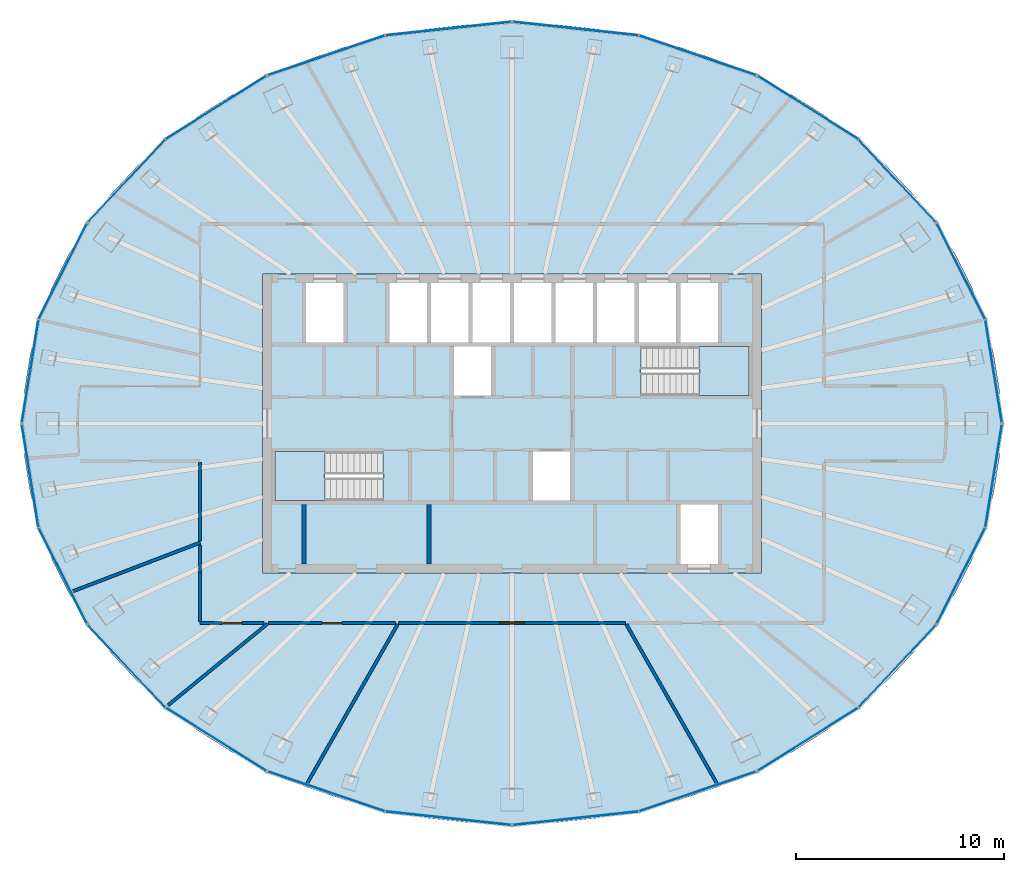
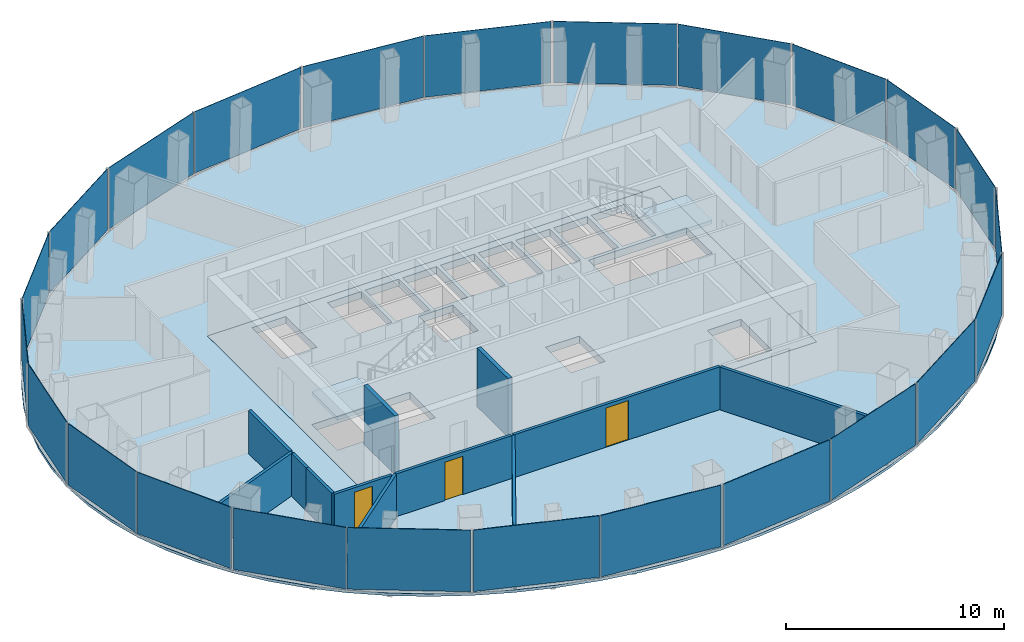
# One storey, part 8 of 13: 24 plates, 12 walls, 4 slabs, 3 doors, 3 openings, 14 elements without a shape of their own.
"""IFC4 building model written with IfcOpenShell, lengths in metres."""

from ifc_helpers import new_model, si_unit, direction, frame, frame_2d, origin, origin_2d, place, context, subcontext, project, spatial, polyline, rectangle, outline, extrude, material, layer, layer_set, type_object, element, fill, aggregate, save


model = new_model("IFC4")

# Units and contexts
model_context = context("Model", 3, precision=1e-05, world=origin(), true_north=direction((0.0, 1.0)))
body_context = subcontext(model_context, "Body", "Model", "MODEL_VIEW")
ifc_project = project(units=[si_unit("LENGTHUNIT", "METRE"), si_unit("AREAUNIT", "SQUARE_METRE"), si_unit("VOLUMEUNIT", "CUBIC_METRE"), si_unit("PLANEANGLEUNIT", "RADIAN"), si_unit("MASSUNIT", "GRAM", prefix="KILO")], contexts=[model_context])

# Site, building, storey
site_placement = place(None, origin())
site = spatial("IfcSite", under=ifc_project, at=site_placement, CompositionType="ELEMENT")
building_placement = place(site_placement, origin())
building = spatial("IfcBuilding", under=site, at=building_placement, Name="Siaravel Broadcast Tower", CompositionType="ELEMENT")
storey_placement = place(building_placement, frame((0.0, 0.0, 175.60009765625)))
storey = spatial("IfcBuildingStorey", under=building, at=storey_placement, Name="L42", CompositionType="ELEMENT", Elevation=175.60009765625)

# Curtain wall, plates
ifc_material_1 = material(Name="Aluminium 6063-T6", Category="aluminium")
ifc_layer_1 = layer(ifc_material_1, 0.179931640625)
ifc_layer_set_1 = layer_set([ifc_layer_1], Name="Aluminium 6063-T6")
curtain_wall_type = type_object("IfcCurtainWallType", Name="Unitised curtain wall, zone 3", PredefinedType="NOTDEFINED", material=ifc_layer_set_1)
curtain_wall_1_placement = place(storey_placement, origin())
curtain_wall_1 = element("IfcCurtainWall", 1, at=curtain_wall_1_placement, inside=storey, type_object=curtain_wall_type, Name="L42 Unitised curtain wall, zone 3 01", PredefinedType="NOTDEFINED")
ifc_material_2 = material(Name="Tinted insulated glass", Category="glass")
ifc_layer_2 = layer(ifc_material_2, 0.028076171875)
ifc_layer_set_2 = layer_set([ifc_layer_2], Name="Tinted insulated glass")
plate_type = type_object("IfcPlateType", Name="CW-Z3 glass panel", PredefinedType="CURTAIN_PANEL", material=ifc_layer_set_2)
plate_1_placement = place(storey_placement, frame((23.17431640625, 2.5166015625, 0.10009765625), z_axis=(0.0, 0.0, 1.0), x_axis=(-0.15868563, 0.98732916, 0.0)))
plate_1 = element("IfcPlate", 2, at=plate_1_placement, type_object=plate_type, Name="CW-Z3 glass panel", PredefinedType="CURTAIN_PANEL", context=body_context, shape_type="SweptSolid", body=[
    extrude(rectangle(XDim=4.977783203125, YDim=0.028076171875, at=origin_2d()), origin(), (0.0, 0.0, 1.0), 3.449951171875),
])
plate_2_placement = place(storey_placement, frame((21.602783203125, 7.321044921875, 0.10009765625), z_axis=(0.0, 0.0, 1.0), x_axis=(-0.4512612, 0.892391915, 0.0)))
plate_2 = element("IfcPlate", 3, at=plate_2_placement, type_object=plate_type, Name="CW-Z3 glass panel", PredefinedType="CURTAIN_PANEL", context=body_context, shape_type="SweptSolid", body=[
    extrude(rectangle(XDim=5.133544921875, YDim=0.028076171875, at=origin_2d()), origin(), (0.0, 0.0, 1.0), 3.449951171875),
])
aggregate(curtain_wall_1, [plate_1, plate_2])

curtain_wall_2_placement = place(storey_placement, origin())
curtain_wall_2 = element("IfcCurtainWall", 4, at=curtain_wall_2_placement, inside=storey, type_object=curtain_wall_type, Name="L42 Unitised curtain wall, zone 3 02", PredefinedType="NOTDEFINED")
plate_3_placement = place(storey_placement, frame((18.532958984375, 11.6767578125, 0.10009765625), z_axis=(0.0, 0.0, 1.0), x_axis=(-0.683655498, 0.729804878, 0.0)))
plate_3 = element("IfcPlate", 5, at=plate_3_placement, type_object=plate_type, Name="CW-Z3 glass panel", PredefinedType="CURTAIN_PANEL", context=body_context, shape_type="SweptSolid", body=[
    extrude(rectangle(XDim=5.392822265625, YDim=0.028076171875, at=origin_2d()), origin(), (0.0, 0.0, 1.0), 3.449951171875),
])
plate_4_placement = place(storey_placement, frame((14.239990234375, 15.193115234375, 0.10009765625), z_axis=(0.0, 0.0, 1.0), x_axis=(-0.846650852, 0.532148789, 0.0)))
plate_4 = element("IfcPlate", 6, at=plate_4_placement, type_object=plate_type, Name="CW-Z3 glass panel", PredefinedType="CURTAIN_PANEL", context=body_context, shape_type="SweptSolid", body=[
    extrude(rectangle(XDim=5.677734375, YDim=0.028076171875, at=origin_2d()), origin(), (0.0, 0.0, 1.0), 3.449951171875),
])
aggregate(curtain_wall_2, [plate_3, plate_4])

curtain_wall_3_placement = place(storey_placement, origin())
curtain_wall_3 = element("IfcCurtainWall", 7, at=curtain_wall_3_placement, inside=storey, type_object=curtain_wall_type, Name="L42 Unitised curtain wall, zone 3 03", PredefinedType="NOTDEFINED")
plate_5_placement = place(storey_placement, frame((8.928955078125, 17.705078125, 0.10009765625), z_axis=(0.0, 0.0, 1.0), x_axis=(-0.946977364, 0.321300283, 0.0)))
plate_5 = element("IfcPlate", 8, at=plate_5_placement, type_object=plate_type, Name="CW-Z3 glass panel", PredefinedType="CURTAIN_PANEL", context=body_context, shape_type="SweptSolid", body=[
    extrude(rectangle(XDim=5.913818359375, YDim=0.028076171875, at=origin_2d()), origin(), (0.0, 0.0, 1.0), 3.449951171875),
])
plate_6_placement = place(storey_placement, frame((3.065185546875, 18.9921875, 0.10009765625), z_axis=(0.0, 0.0, 1.0), x_axis=(-0.994235605, 0.107217362, 0.0)))
plate_6 = element("IfcPlate", 9, at=plate_6_placement, type_object=plate_type, Name="CW-Z3 glass panel", PredefinedType="CURTAIN_PANEL", context=body_context, shape_type="SweptSolid", body=[
    extrude(rectangle(XDim=6.0458984375, YDim=0.028076171875, at=origin_2d()), origin(), (0.0, 0.0, 1.0), 3.449951171875),
])
aggregate(curtain_wall_3, [plate_5, plate_6])

curtain_wall_4_placement = place(storey_placement, origin())
curtain_wall_4 = element("IfcCurtainWall", 10, at=curtain_wall_4_placement, inside=storey, type_object=curtain_wall_type, Name="L42 Unitised curtain wall, zone 3 04", PredefinedType="NOTDEFINED")
plate_7_placement = place(storey_placement, frame((-3.065185546875, 18.9921875, 0.10009765625), z_axis=(0.0, 0.0, 1.0), x_axis=(-0.994235605, -0.107217362, 0.0)))
plate_7 = element("IfcPlate", 11, at=plate_7_placement, type_object=plate_type, Name="CW-Z3 glass panel", PredefinedType="CURTAIN_PANEL", context=body_context, shape_type="SweptSolid", body=[
    extrude(rectangle(XDim=6.0458984375, YDim=0.028076171875, at=origin_2d()), origin(), (0.0, 0.0, 1.0), 3.449951171875),
])
plate_8_placement = place(storey_placement, frame((-8.928955078125, 17.705078125, 0.10009765625), z_axis=(0.0, 0.0, 1.0), x_axis=(-0.946977364, -0.321300283, 0.0)))
plate_8 = element("IfcPlate", 12, at=plate_8_placement, type_object=plate_type, Name="CW-Z3 glass panel", PredefinedType="CURTAIN_PANEL", context=body_context, shape_type="SweptSolid", body=[
    extrude(rectangle(XDim=5.913818359375, YDim=0.028076171875, at=origin_2d()), origin(), (0.0, 0.0, 1.0), 3.449951171875),
])
aggregate(curtain_wall_4, [plate_7, plate_8])

curtain_wall_5_placement = place(storey_placement, origin())
curtain_wall_5 = element("IfcCurtainWall", 13, at=curtain_wall_5_placement, inside=storey, type_object=curtain_wall_type, Name="L42 Unitised curtain wall, zone 3 05", PredefinedType="NOTDEFINED")
plate_9_placement = place(storey_placement, frame((-14.239990234375, 15.193115234375, 0.10009765625), z_axis=(0.0, 0.0, 1.0), x_axis=(-0.846650852, -0.532148789, 0.0)))
plate_9 = element("IfcPlate", 14, at=plate_9_placement, type_object=plate_type, Name="CW-Z3 glass panel", PredefinedType="CURTAIN_PANEL", context=body_context, shape_type="SweptSolid", body=[
    extrude(rectangle(XDim=5.677734375, YDim=0.028076171875, at=origin_2d()), origin(), (0.0, 0.0, 1.0), 3.449951171875),
])
plate_10_placement = place(storey_placement, frame((-18.532958984375, 11.6767578125, 0.10009765625), z_axis=(0.0, 0.0, 1.0), x_axis=(-0.683655498, -0.729804878, 0.0)))
plate_10 = element("IfcPlate", 15, at=plate_10_placement, type_object=plate_type, Name="CW-Z3 glass panel", PredefinedType="CURTAIN_PANEL", context=body_context, shape_type="SweptSolid", body=[
    extrude(rectangle(XDim=5.392822265625, YDim=0.028076171875, at=origin_2d()), origin(), (0.0, 0.0, 1.0), 3.449951171875),
])
aggregate(curtain_wall_5, [plate_9, plate_10])

curtain_wall_6_placement = place(storey_placement, origin())
curtain_wall_6 = element("IfcCurtainWall", 16, at=curtain_wall_6_placement, inside=storey, type_object=curtain_wall_type, Name="L42 Unitised curtain wall, zone 3 06", PredefinedType="NOTDEFINED")
plate_11_placement = place(storey_placement, frame((-21.602783203125, 7.321044921875, 0.10009765625), z_axis=(0.0, 0.0, 1.0), x_axis=(-0.4512612, -0.892391915, 0.0)))
plate_11 = element("IfcPlate", 17, at=plate_11_placement, type_object=plate_type, Name="CW-Z3 glass panel", PredefinedType="CURTAIN_PANEL", context=body_context, shape_type="SweptSolid", body=[
    extrude(rectangle(XDim=5.133544921875, YDim=0.028076171875, at=origin_2d()), origin(), (0.0, 0.0, 1.0), 3.449951171875),
])
plate_12_placement = place(storey_placement, frame((-23.17431640625, 2.5166015625, 0.10009765625), z_axis=(0.0, 0.0, 1.0), x_axis=(-0.15868563, -0.98732916, 0.0)))
plate_12 = element("IfcPlate", 18, at=plate_12_placement, type_object=plate_type, Name="CW-Z3 glass panel", PredefinedType="CURTAIN_PANEL", context=body_context, shape_type="SweptSolid", body=[
    extrude(rectangle(XDim=4.977783203125, YDim=0.028076171875, at=origin_2d()), origin(), (0.0, 0.0, 1.0), 3.449951171875),
])
aggregate(curtain_wall_6, [plate_11, plate_12])

curtain_wall_7_placement = place(storey_placement, origin())
curtain_wall_7 = element("IfcCurtainWall", 19, at=curtain_wall_7_placement, inside=storey, type_object=curtain_wall_type, Name="L42 Unitised curtain wall, zone 3 07", PredefinedType="NOTDEFINED")
plate_13_placement = place(storey_placement, frame((-23.17431640625, -2.5166015625, 0.10009765625), z_axis=(0.0, 0.0, 1.0), x_axis=(0.15868563, -0.98732916, 0.0)))
plate_13 = element("IfcPlate", 20, at=plate_13_placement, type_object=plate_type, Name="CW-Z3 glass panel", PredefinedType="CURTAIN_PANEL", context=body_context, shape_type="SweptSolid", body=[
    extrude(rectangle(XDim=4.977783203125, YDim=0.028076171875, at=origin_2d()), origin(), (0.0, 0.0, 1.0), 3.449951171875),
])
plate_14_placement = place(storey_placement, frame((-21.602783203125, -7.321044921875, 0.10009765625), z_axis=(0.0, 0.0, 1.0), x_axis=(0.4512612, -0.892391915, 0.0)))
plate_14 = element("IfcPlate", 21, at=plate_14_placement, type_object=plate_type, Name="CW-Z3 glass panel", PredefinedType="CURTAIN_PANEL", context=body_context, shape_type="SweptSolid", body=[
    extrude(rectangle(XDim=5.133544921875, YDim=0.028076171875, at=origin_2d()), origin(), (0.0, 0.0, 1.0), 3.449951171875),
])
aggregate(curtain_wall_7, [plate_13, plate_14])

curtain_wall_8_placement = place(storey_placement, origin())
curtain_wall_8 = element("IfcCurtainWall", 22, at=curtain_wall_8_placement, inside=storey, type_object=curtain_wall_type, Name="L42 Unitised curtain wall, zone 3 08", PredefinedType="NOTDEFINED")
plate_15_placement = place(storey_placement, frame((-18.532958984375, -11.6767578125, 0.10009765625), z_axis=(0.0, 0.0, 1.0), x_axis=(0.683655498, -0.729804878, 0.0)))
plate_15 = element("IfcPlate", 23, at=plate_15_placement, type_object=plate_type, Name="CW-Z3 glass panel", PredefinedType="CURTAIN_PANEL", context=body_context, shape_type="SweptSolid", body=[
    extrude(rectangle(XDim=5.392822265625, YDim=0.028076171875, at=origin_2d()), origin(), (0.0, 0.0, 1.0), 3.449951171875),
])
plate_16_placement = place(storey_placement, frame((-14.239990234375, -15.193115234375, 0.10009765625), z_axis=(0.0, 0.0, 1.0), x_axis=(0.846650852, -0.532148789, 0.0)))
plate_16 = element("IfcPlate", 24, at=plate_16_placement, type_object=plate_type, Name="CW-Z3 glass panel", PredefinedType="CURTAIN_PANEL", context=body_context, shape_type="SweptSolid", body=[
    extrude(rectangle(XDim=5.677734375, YDim=0.028076171875, at=origin_2d()), origin(), (0.0, 0.0, 1.0), 3.449951171875),
])
aggregate(curtain_wall_8, [plate_15, plate_16])

curtain_wall_9_placement = place(storey_placement, origin())
curtain_wall_9 = element("IfcCurtainWall", 25, at=curtain_wall_9_placement, inside=storey, type_object=curtain_wall_type, Name="L42 Unitised curtain wall, zone 3 09", PredefinedType="NOTDEFINED")
plate_17_placement = place(storey_placement, frame((-8.928955078125, -17.705078125, 0.10009765625), z_axis=(0.0, 0.0, 1.0), x_axis=(0.946977364, -0.321300283, 0.0)))
plate_17 = element("IfcPlate", 26, at=plate_17_placement, type_object=plate_type, Name="CW-Z3 glass panel", PredefinedType="CURTAIN_PANEL", context=body_context, shape_type="SweptSolid", body=[
    extrude(rectangle(XDim=5.913818359375, YDim=0.028076171875, at=origin_2d()), origin(), (0.0, 0.0, 1.0), 3.449951171875),
])
plate_18_placement = place(storey_placement, frame((-3.065185546875, -18.9921875, 0.10009765625), z_axis=(0.0, 0.0, 1.0), x_axis=(0.994235605, -0.107217362, 0.0)))
plate_18 = element("IfcPlate", 27, at=plate_18_placement, type_object=plate_type, Name="CW-Z3 glass panel", PredefinedType="CURTAIN_PANEL", context=body_context, shape_type="SweptSolid", body=[
    extrude(rectangle(XDim=6.0458984375, YDim=0.028076171875, at=origin_2d()), origin(), (0.0, 0.0, 1.0), 3.449951171875),
])
aggregate(curtain_wall_9, [plate_17, plate_18])

curtain_wall_10_placement = place(storey_placement, origin())
curtain_wall_10 = element("IfcCurtainWall", 28, at=curtain_wall_10_placement, inside=storey, type_object=curtain_wall_type, Name="L42 Unitised curtain wall, zone 3 10", PredefinedType="NOTDEFINED")
plate_19_placement = place(storey_placement, frame((3.065185546875, -18.9921875, 0.10009765625), z_axis=(0.0, 0.0, 1.0), x_axis=(0.994235605, 0.107217362, 0.0)))
plate_19 = element("IfcPlate", 29, at=plate_19_placement, type_object=plate_type, Name="CW-Z3 glass panel", PredefinedType="CURTAIN_PANEL", context=body_context, shape_type="SweptSolid", body=[
    extrude(rectangle(XDim=6.0458984375, YDim=0.028076171875, at=origin_2d()), origin(), (0.0, 0.0, 1.0), 3.449951171875),
])
plate_20_placement = place(storey_placement, frame((8.928955078125, -17.705078125, 0.10009765625), z_axis=(0.0, 0.0, 1.0), x_axis=(0.946977364, 0.321300283, 0.0)))
plate_20 = element("IfcPlate", 30, at=plate_20_placement, type_object=plate_type, Name="CW-Z3 glass panel", PredefinedType="CURTAIN_PANEL", context=body_context, shape_type="SweptSolid", body=[
    extrude(rectangle(XDim=5.913818359375, YDim=0.028076171875, at=origin_2d()), origin(), (0.0, 0.0, 1.0), 3.449951171875),
])
aggregate(curtain_wall_10, [plate_19, plate_20])

curtain_wall_11_placement = place(storey_placement, origin())
curtain_wall_11 = element("IfcCurtainWall", 31, at=curtain_wall_11_placement, inside=storey, type_object=curtain_wall_type, Name="L42 Unitised curtain wall, zone 3 11", PredefinedType="NOTDEFINED")
plate_21_placement = place(storey_placement, frame((14.239990234375, -15.193115234375, 0.10009765625), z_axis=(0.0, 0.0, 1.0), x_axis=(0.846650852, 0.532148789, 0.0)))
plate_21 = element("IfcPlate", 32, at=plate_21_placement, type_object=plate_type, Name="CW-Z3 glass panel", PredefinedType="CURTAIN_PANEL", context=body_context, shape_type="SweptSolid", body=[
    extrude(rectangle(XDim=5.677734375, YDim=0.028076171875, at=origin_2d()), origin(), (0.0, 0.0, 1.0), 3.449951171875),
])
plate_22_placement = place(storey_placement, frame((18.532958984375, -11.6767578125, 0.10009765625), z_axis=(0.0, 0.0, 1.0), x_axis=(0.683655498, 0.729804878, 0.0)))
plate_22 = element("IfcPlate", 33, at=plate_22_placement, type_object=plate_type, Name="CW-Z3 glass panel", PredefinedType="CURTAIN_PANEL", context=body_context, shape_type="SweptSolid", body=[
    extrude(rectangle(XDim=5.392822265625, YDim=0.028076171875, at=origin_2d()), origin(), (0.0, 0.0, 1.0), 3.449951171875),
])
aggregate(curtain_wall_11, [plate_21, plate_22])

curtain_wall_12_placement = place(storey_placement, origin())
curtain_wall_12 = element("IfcCurtainWall", 34, at=curtain_wall_12_placement, inside=storey, type_object=curtain_wall_type, Name="L42 Unitised curtain wall, zone 3 12", PredefinedType="NOTDEFINED")
plate_23_placement = place(storey_placement, frame((21.602783203125, -7.321044921875, 0.10009765625), z_axis=(0.0, 0.0, 1.0), x_axis=(0.4512612, 0.892391915, 0.0)))
plate_23 = element("IfcPlate", 35, at=plate_23_placement, type_object=plate_type, Name="CW-Z3 glass panel", PredefinedType="CURTAIN_PANEL", context=body_context, shape_type="SweptSolid", body=[
    extrude(rectangle(XDim=5.133544921875, YDim=0.028076171875, at=origin_2d()), origin(), (0.0, 0.0, 1.0), 3.449951171875),
])
plate_24_placement = place(storey_placement, frame((23.17431640625, -2.5166015625, 0.10009765625), z_axis=(0.0, 0.0, 1.0), x_axis=(0.15868563, 0.98732916, 0.0)))
plate_24 = element("IfcPlate", 36, at=plate_24_placement, type_object=plate_type, Name="CW-Z3 glass panel", PredefinedType="CURTAIN_PANEL", context=body_context, shape_type="SweptSolid", body=[
    extrude(rectangle(XDim=4.977783203125, YDim=0.028076171875, at=origin_2d()), origin(), (0.0, 0.0, 1.0), 3.449951171875),
])
aggregate(curtain_wall_12, [plate_23, plate_24])

# Slabs
ifc_material_3 = material(Name="Concrete C40/50", Category="concrete")
ifc_layer_3 = layer(ifc_material_3, 0.39990234375)
ifc_layer_set_3 = layer_set([ifc_layer_3], Name="Concrete C40/50")
slab_type_1 = type_object("IfcSlabType", Name="Core floor slab 400", PredefinedType="FLOOR", material=ifc_layer_set_3)
slab_1_placement = place(storey_placement, frame((0.0, 0.0, -0.400146484375)))
element("IfcSlab", 37, at=slab_1_placement, inside=storey, type_object=slab_type_1, Name="L42 core floor", PredefinedType="FLOOR", context=body_context, shape_type="SweptSolid", body=[
    extrude(outline(polyline([(-12.0, -7.199951171875), (-12.0, 7.199951171875), (12.0, 7.199951171875), (12.0, -7.199951171875), (-12.0, -7.199951171875)]), holes=[polyline([(11.3994140625, 1.3505859375), (11.3994140625, 3.699462890625), (6.200439453125, 3.699462890625), (6.200439453125, 1.3505859375), (11.3994140625, 1.3505859375)]), polyline([(8.10009765625, -3.89990234375), (8.10009765625, -6.75), (9.89990234375, -6.75), (9.89990234375, -3.89990234375), (8.10009765625, -3.89990234375)]), polyline([(9.89990234375, 6.75), (8.10009765625, 6.75), (8.10009765625, 3.89990234375), (9.89990234375, 3.89990234375), (9.89990234375, 6.75)]), polyline([(7.89990234375, 6.75), (6.10009765625, 6.75), (6.10009765625, 3.89990234375), (7.89990234375, 3.89990234375), (7.89990234375, 6.75)]), polyline([(5.89990234375, 6.75), (4.10009765625, 6.75), (4.10009765625, 3.89990234375), (5.89990234375, 3.89990234375), (5.89990234375, 6.75)]), polyline([(3.89990234375, 6.75), (2.10009765625, 6.75), (2.10009765625, 3.89990234375), (3.89990234375, 3.89990234375), (3.89990234375, 6.75)]), polyline([(2.800048828125, -1.35009765625), (1.0, -1.35009765625), (1.0, -3.699951171875), (2.800048828125, -3.699951171875), (2.800048828125, -1.35009765625)]), polyline([(1.89990234375, 6.75), (0.10009765625, 6.75), (0.10009765625, 3.89990234375), (1.89990234375, 3.89990234375), (1.89990234375, 6.75)]), polyline([(-0.10009765625, 6.75), (-1.89990234375, 6.75), (-1.89990234375, 3.89990234375), (-0.10009765625, 3.89990234375), (-0.10009765625, 6.75)]), polyline([(-1.0, 3.699951171875), (-2.800048828125, 3.699951171875), (-2.800048828125, 1.35009765625), (-1.0, 1.35009765625), (-1.0, 3.699951171875)]), polyline([(-2.10009765625, 6.75), (-3.89990234375, 6.75), (-3.89990234375, 3.89990234375), (-2.10009765625, 3.89990234375), (-2.10009765625, 6.75)]), polyline([(-4.10009765625, 6.75), (-5.89990234375, 6.75), (-5.89990234375, 3.89990234375), (-4.10009765625, 3.89990234375), (-4.10009765625, 6.75)]), polyline([(-11.3994140625, -3.699462890625), (-6.200439453125, -3.699462890625), (-6.200439453125, -1.3505859375), (-11.3994140625, -1.3505859375), (-11.3994140625, -3.699462890625)]), polyline([(-8.10009765625, 6.75), (-9.89990234375, 6.75), (-9.89990234375, 3.89990234375), (-8.10009765625, 3.89990234375), (-8.10009765625, 6.75)])]), origin(), (0.0, 0.0, 1.0), 0.400146484375),
])
ifc_layer_4 = layer(ifc_material_3, 0.14990234375)
ifc_layer_set_4 = layer_set([ifc_layer_4], Name="Concrete C40/50")
slab_type_2 = type_object("IfcSlabType", Name="SLB-FLOOR-150", PredefinedType="FLOOR", material=ifc_layer_set_4)
slab_2_placement = place(storey_placement, frame((0.0, 0.0, -0.150146484375)))
element("IfcSlab", 38, at=slab_2_placement, inside=storey, type_object=slab_type_2, Name="Floor slab", PredefinedType="FLOOR", context=body_context, shape_type="SweptSolid", body=[
    extrude(outline(polyline([(23.52880859375, 0.0), (23.439208984375, 1.6796875), (23.171142578125, 3.3466796875), (22.72705078125, 4.988037109375), (22.109619140625, 6.591552734375), (21.32421875, 8.14501953125), (20.37646484375, 9.63623046875), (19.273681640625, 11.05419921875), (18.02392578125, 12.38818359375), (16.63720703125, 13.627685546875), (15.1240234375, 14.763671875), (13.49560546875, 15.787109375), (11.764404296875, 16.690673828125), (9.943603515625, 17.466796875), (8.04736328125, 18.1103515625), (6.089599609375, 18.615966796875), (4.085693359375, 18.979736328125), (2.05078125, 19.19921875), (0.0, 19.272705078125), (-2.05078125, 19.19921875), (-4.085693359375, 18.979736328125), (-6.089599609375, 18.615966796875), (-8.04736328125, 18.1103515625), (-9.943603515625, 17.466796875), (-11.764404296875, 16.690673828125), (-13.49560546875, 15.787109375), (-15.1240234375, 14.763671875), (-16.63720703125, 13.627685546875), (-18.02392578125, 12.38818359375), (-19.273681640625, 11.05419921875), (-20.37646484375, 9.63623046875), (-21.32421875, 8.14501953125), (-22.109619140625, 6.591552734375), (-22.72705078125, 4.988037109375), (-23.171142578125, 3.3466796875), (-23.439208984375, 1.6796875), (-23.52880859375, 0.0), (-23.439208984375, -1.6796875), (-23.171142578125, -3.3466796875), (-22.72705078125, -4.988037109375), (-22.109619140625, -6.591552734375), (-21.32421875, -8.14501953125), (-20.37646484375, -9.63623046875), (-19.273681640625, -11.05419921875), (-18.02392578125, -12.38818359375), (-16.63720703125, -13.627685546875), (-15.1240234375, -14.763671875), (-13.49560546875, -15.787109375), (-11.764404296875, -16.690673828125), (-9.943603515625, -17.466796875), (-8.04736328125, -18.1103515625), (-6.089599609375, -18.615966796875), (-4.085693359375, -18.979736328125), (-2.05078125, -19.19921875), (0.0, -19.272705078125), (2.05078125, -19.19921875), (4.085693359375, -18.979736328125), (6.089599609375, -18.615966796875), (8.04736328125, -18.1103515625), (9.943603515625, -17.466796875), (11.764404296875, -16.690673828125), (13.49560546875, -15.787109375), (15.1240234375, -14.763671875), (16.63720703125, -13.627685546875), (18.02392578125, -12.38818359375), (19.273681640625, -11.05419921875), (20.37646484375, -9.63623046875), (21.32421875, -8.14501953125), (22.109619140625, -6.591552734375), (22.72705078125, -4.988037109375), (23.171142578125, -3.3466796875), (23.439208984375, -1.6796875), (23.52880859375, 0.0)]), holes=[polyline([(-12.0, 7.199951171875), (12.0, 7.199951171875), (12.0, -7.199951171875), (-12.0, -7.199951171875), (-12.0, 7.199951171875)])]), origin(), (0.0, 0.0, 1.0), 0.150146484375),
])

# Stair, slab
stair_type = type_object("IfcStairType", Name="Core exit stair", PredefinedType="HALF_TURN_STAIR", material=ifc_material_3)
stair_1_placement = place(storey_placement, origin())
stair_1 = element("IfcStair", 39, at=stair_1_placement, inside=storey, type_object=stair_type, Name="L42 Exit stair ST-1", PredefinedType="HALF_TURN_STAIR")
ifc_layer_5 = layer(ifc_material_3, 0.199951171875)
ifc_layer_set_5 = layer_set([ifc_layer_5], Name="Concrete C40/50")
slab_type_3 = type_object("IfcSlabType", Name="Stair landing", PredefinedType="LANDING", material=ifc_layer_set_5)
slab_3_placement = place(storey_placement, frame((0.0, 0.0, 1.64990234375)))
slab_3 = element("IfcSlab", 40, at=slab_3_placement, type_object=slab_type_3, Name="ST-1 landing 1", PredefinedType="LANDING", context=body_context, shape_type="SweptSolid", body=[
    extrude(outline(polyline([(-9.0, -1.35009765625), (-11.39990234375, -1.35009765625), (-11.39990234375, -3.699951171875), (-9.0, -3.699951171875), (-9.0, -1.35009765625)])), origin(), (0.0, 0.0, 1.0), 0.199951171875),
])
aggregate(stair_1, [slab_3])

stair_2_placement = place(storey_placement, origin())
stair_2 = element("IfcStair", 41, at=stair_2_placement, inside=storey, type_object=stair_type, Name="L42 Exit stair ST-2", PredefinedType="HALF_TURN_STAIR")
slab_4_placement = place(storey_placement, frame((0.0, 0.0, 1.64990234375)))
slab_4 = element("IfcSlab", 42, at=slab_4_placement, type_object=slab_type_3, Name="ST-2 landing 1", PredefinedType="LANDING", context=body_context, shape_type="SweptSolid", body=[
    extrude(outline(polyline([(9.0, 1.35009765625), (11.39990234375, 1.35009765625), (11.39990234375, 3.699951171875), (9.0, 3.699951171875), (9.0, 1.35009765625)])), origin(), (0.0, 0.0, 1.0), 0.199951171875),
])
aggregate(stair_2, [slab_4])

# Wall
ifc_material_4 = material(Name="Concrete blockwork", Category="masonry")
ifc_layer_6 = layer(ifc_material_4, 0.199951171875)
ifc_layer_set_6 = layer_set([ifc_layer_6], Name="Concrete blockwork")
wall_type_1 = type_object("IfcWallType", Name="Core partition 200", PredefinedType="PARTITIONING", material=ifc_layer_set_6)
wall_1_placement = place(storey_placement, frame((-4.0, -6.75, 0.0), z_axis=(0.0, 0.0, 1.0), x_axis=(0.0, 1.0, 0.0)))
element("IfcWall", 43, at=wall_1_placement, inside=storey, type_object=wall_type_1, Name="L42 core partition PFS0", PredefinedType="PARTITIONING", context=body_context, shape_type="SweptSolid", body=[
    extrude(rectangle(XDim=2.85009765625, YDim=0.199951171875, at=frame_2d((1.425048828125, 0.0))), origin(), (0.0, 0.0, 1.0), 3.2998046875),
])

# Wall, opening, door
ifc_material_5 = material(Name="Gypsum board partition", Category="gypsum")
ifc_layer_7 = layer(ifc_material_5, 0.14990234375)
ifc_layer_set_7 = layer_set([ifc_layer_7], Name="Gypsum board partition")
wall_type_2 = type_object("IfcWallType", Name="Corridor wall 150", PredefinedType="PARTITIONING", material=ifc_layer_set_7)
wall_2_placement = place(storey_placement, frame((-5.465087890625, -9.60009765625, 0.0), z_axis=(0.0, 0.0, 1.0), x_axis=(1.0, 0.0, 0.0)))
wall_2 = element("IfcWall", 44, at=wall_2_placement, inside=storey, type_object=wall_type_2, Name="L42 partition 2", PredefinedType="PARTITIONING", context=body_context, shape_type="SweptSolid", body=[
    extrude(rectangle(XDim=10.93017578125, YDim=0.14990234375, at=frame_2d((5.465087890625, 0.0))), origin(), (0.0, 0.0, 1.0), 2.39990234375),
])
opening_1_placement = place(wall_2_placement, frame((4.865234375, 0.0, 0.0)))
opening_1 = element("IfcOpeningElement", 45, at=opening_1_placement, cuts=wall_2, Name="Opening L42-002", PredefinedType="OPENING", context=body_context, shape_type="SweptSolid", body=[
    extrude(rectangle(XDim=1.199951171875, YDim=2.199951171875, at=frame_2d((0.60009765625, 1.10009765625))), frame((0.0, 0.0849609375, 0.0), z_axis=(0.0, -1.0, 0.0), x_axis=(1.0, 0.0, 0.0)), (0.0, 0.0, 1.0), 0.169921875),
])
ifc_material_6 = material(Name="Timber veneer", Category="wood")
door_type_1 = type_object("IfcDoorType", Name="Office double door 1200", OperationType="DOUBLE_DOOR_SINGLE_SWING", PredefinedType="DOOR", material=ifc_material_6)
door_1_placement = place(opening_1_placement, origin())
door_1 = element("IfcDoor", 46, at=door_1_placement, inside=storey, type_object=door_type_1, Name="L42 door to Open plan office", OperationType="DOUBLE_DOOR_SINGLE_SWING", OverallHeight=2.199951171875, OverallWidth=1.199951171875, PredefinedType="DOOR", context=body_context, shape_type="SweptSolid", body=[
    extrude(rectangle(XDim=1.199951171875, YDim=2.199951171875, at=frame_2d((0.60009765625, 1.10009765625))), frame((0.0, 0.02490234375, 0.0), z_axis=(0.0, -1.0, 0.0), x_axis=(1.0, 0.0, 0.0)), (0.0, 0.0, 1.0), 0.050048828125),
])
fill(opening_1, door_1)

wall_3_placement = place(storey_placement, frame((-11.719970703125, -9.60009765625, 0.0), z_axis=(0.0, 0.0, 1.0), x_axis=(1.0, 0.0, 0.0)))
wall_3 = element("IfcWall", 47, at=wall_3_placement, inside=storey, type_object=wall_type_2, Name="L42 partition 11", PredefinedType="PARTITIONING", context=body_context, shape_type="SweptSolid", body=[
    extrude(rectangle(XDim=6.123779296875, YDim=0.14990234375, at=frame_2d((3.06201171875, 0.0))), origin(), (0.0, 0.0, 1.0), 2.39990234375),
])
opening_2_placement = place(wall_3_placement, frame((2.5869140625, 0.0, 0.0)))
opening_2 = element("IfcOpeningElement", 48, at=opening_2_placement, cuts=wall_3, Name="Opening L42-001", PredefinedType="OPENING", context=body_context, shape_type="SweptSolid", body=[
    extrude(rectangle(XDim=0.949951171875, YDim=2.14990234375, at=frame_2d((0.47509765625, 1.074951171875))), frame((0.0, 0.0849609375, 0.0), z_axis=(0.0, -1.0, 0.0), x_axis=(1.0, 0.0, 0.0)), (0.0, 0.0, 1.0), 0.169921875),
])
door_type_2 = type_object("IfcDoorType", Name="Office door 950", OperationType="SINGLE_SWING_LEFT", PredefinedType="DOOR", material=ifc_material_6)
door_2_placement = place(opening_2_placement, origin())
door_2 = element("IfcDoor", 49, at=door_2_placement, inside=storey, type_object=door_type_2, Name="L42 door to Office", OperationType="SINGLE_SWING_LEFT", OverallHeight=2.14990234375, OverallWidth=0.949951171875, PredefinedType="DOOR", context=body_context, shape_type="SweptSolid", body=[
    extrude(rectangle(XDim=0.949951171875, YDim=2.14990234375, at=frame_2d((0.47509765625, 1.074951171875))), frame((0.0, 0.02490234375, 0.0), z_axis=(0.0, -1.0, 0.0), x_axis=(1.0, 0.0, 0.0)), (0.0, 0.0, 1.0), 0.050048828125),
])
fill(opening_2, door_2)

# Wall
wall_4_placement = place(storey_placement, frame((-15.0, -1.876953125, 0.0), z_axis=(0.0, 0.0, 1.0), x_axis=(0.0, -1.0, 0.0)))
element("IfcWall", 50, at=wall_4_placement, inside=storey, type_object=wall_type_2, Name="L42 partition 23", PredefinedType="PARTITIONING", context=body_context, shape_type="SweptSolid", body=[
    extrude(rectangle(XDim=3.7802734375, YDim=0.14990234375, at=frame_2d((1.89013671875, 0.0))), origin(), (0.0, 0.0, 1.0), 2.39990234375),
])

# Wall, opening, door
wall_5_placement = place(storey_placement, frame((-15.0, -9.60009765625, 0.0), z_axis=(0.0, 0.0, 1.0), x_axis=(1.0, 0.0, 0.0)))
wall_5 = element("IfcWall", 51, at=wall_5_placement, inside=storey, type_object=wall_type_2, Name="L42 partition 27", PredefinedType="PARTITIONING", context=body_context, shape_type="SweptSolid", body=[
    extrude(rectangle(XDim=3.068115234375, YDim=0.14990234375, at=frame_2d((1.5341796875, 0.0))), origin(), (0.0, 0.0, 1.0), 2.39990234375),
])
opening_3_placement = place(wall_5_placement, frame((1.05908203125, 0.0, 0.0)))
opening_3 = element("IfcOpeningElement", 52, at=opening_3_placement, cuts=wall_5, Name="Opening L42-013", PredefinedType="OPENING", context=body_context, shape_type="SweptSolid", body=[
    extrude(rectangle(XDim=0.949951171875, YDim=2.14990234375, at=frame_2d((0.47509765625, 1.074951171875))), frame((0.0, 0.0849609375, 0.0), z_axis=(0.0, -1.0, 0.0), x_axis=(1.0, 0.0, 0.0)), (0.0, 0.0, 1.0), 0.169921875),
])
door_3_placement = place(opening_3_placement, origin())
door_3 = element("IfcDoor", 53, at=door_3_placement, inside=storey, type_object=door_type_2, Name="L42 door to Reception", OperationType="SINGLE_SWING_LEFT", OverallHeight=2.14990234375, OverallWidth=0.949951171875, PredefinedType="DOOR", context=body_context, shape_type="SweptSolid", body=[
    extrude(rectangle(XDim=0.949951171875, YDim=2.14990234375, at=frame_2d((0.47509765625, 1.074951171875))), frame((0.0, 0.02490234375, 0.0), z_axis=(0.0, -1.0, 0.0), x_axis=(1.0, 0.0, 0.0)), (0.0, 0.0, 1.0), 0.050048828125),
])
fill(opening_3, door_3)

# Walls
wall_6_placement = place(storey_placement, frame((-15.0, -7.18798828125, 0.0), z_axis=(0.0, 0.0, 1.0), x_axis=(0.0, -1.0, 0.0)))
element("IfcWall", 54, at=wall_6_placement, inside=storey, type_object=wall_type_2, Name="L42 partition 29", PredefinedType="PARTITIONING", context=body_context, shape_type="SweptSolid", body=[
    extrude(rectangle(XDim=2.3349609375, YDim=0.14990234375, at=frame_2d((1.16748046875, 0.0))), origin(), (0.0, 0.0, 1.0), 2.39990234375),
])
wall_7_placement = place(storey_placement, frame((-15.0, -5.84033203125, 0.0), z_axis=(0.0, 0.0, 1.0), x_axis=(0.0, -1.0, 0.0)))
element("IfcWall", 55, at=wall_7_placement, inside=storey, type_object=wall_type_2, Name="L42 partition 35", PredefinedType="PARTITIONING", context=body_context, shape_type="SweptSolid", body=[
    extrude(rectangle(XDim=1.3466796875, YDim=0.14990234375, at=frame_2d((0.67333984375, 0.0))), origin(), (0.0, 0.0, 1.0), 2.39990234375),
])
ifc_layer_8 = layer(ifc_material_5, 0.14990234375)
ifc_layer_set_8 = layer_set([ifc_layer_8], Name="Gypsum board partition")
wall_type_3 = type_object("IfcWallType", Name="Room partition 150", PredefinedType="PARTITIONING", material=ifc_layer_set_8)
for number, where, z_axis, x_axis, name in (
    (56, (-9.88330078125, -17.360595703125, 0.0), (0.0, 0.0, 1.0), (0.494758879, 0.869030294, 0.0), "L42 partition 4"),
    (57, (9.88330078125, -17.360595703125, 0.0), (0.0, 0.0, 1.0), (-0.494758879, 0.869030294, 0.0), "L42 partition 6"),
):
    element("IfcWall", number, at=place(storey_placement, frame(where, z_axis=z_axis, x_axis=x_axis)), inside=storey, type_object=wall_type_3, Name=name, PredefinedType="PARTITIONING", context=body_context, shape_type="SweptSolid", body=[
        extrude(rectangle(XDim=8.863037109375, YDim=0.14990234375, at=frame_2d((4.431640625, 0.0))), origin(), (0.0, 0.0, 1.0), 2.39990234375),
    ])
wall_8_placement = place(storey_placement, frame((-21.2099609375, -8.101318359375, 0.0), z_axis=(0.0, 0.0, 1.0), x_axis=(0.934180775, 0.356800056, 0.0)))
element("IfcWall", 58, at=wall_8_placement, inside=storey, type_object=wall_type_3, Name="L42 partition 10", PredefinedType="PARTITIONING", context=body_context, shape_type="SweptSolid", body=[
    extrude(rectangle(XDim=6.6474609375, YDim=0.14990234375, at=frame_2d((3.32373046875, 0.0))), origin(), (0.0, 0.0, 1.0), 2.39990234375),
])
wall_9_placement = place(storey_placement, frame((-11.75830078125, -9.63134765625, 0.0), z_axis=(0.0, 0.0, 1.0), x_axis=(-0.773601825, -0.63367201, 0.0)))
element("IfcWall", 59, at=wall_9_placement, inside=storey, type_object=wall_type_3, Name="L42 partition 14", PredefinedType="PARTITIONING", context=body_context, shape_type="SweptSolid", body=[
    extrude(rectangle(XDim=6.183349609375, YDim=0.14990234375, at=frame_2d((3.091796875, 0.0))), origin(), (0.0, 0.0, 1.0), 2.39990234375),
])
ifc_material_7 = material(Name="Concrete C60/75", Category="concrete")
ifc_layer_9 = layer(ifc_material_7, 0.199951171875)
ifc_layer_set_9 = layer_set([ifc_layer_9], Name="Concrete C60/75")
wall_type_4 = type_object("IfcWallType", Name="Shaft wall 200", PredefinedType="SHEAR", material=ifc_layer_set_9)
wall_10_placement = place(storey_placement, frame((-10.0, -6.75, 0.0), z_axis=(0.0, 0.0, 1.0), x_axis=(0.0, 1.0, 0.0)))
element("IfcWall", 60, at=wall_10_placement, inside=storey, type_object=wall_type_4, Name="L42 core wall SWS0", PredefinedType="SHEAR", context=body_context, shape_type="SweptSolid", body=[
    extrude(rectangle(XDim=2.85009765625, YDim=0.199951171875, at=frame_2d((1.425048828125, 0.0))), origin(), (0.0, 0.0, 1.0), 3.2998046875),
])

save(model, "model.ifc")
